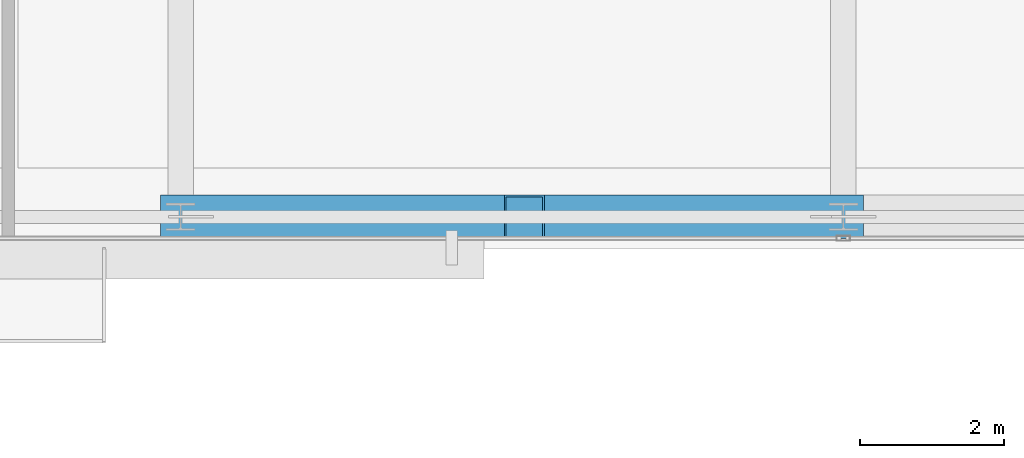
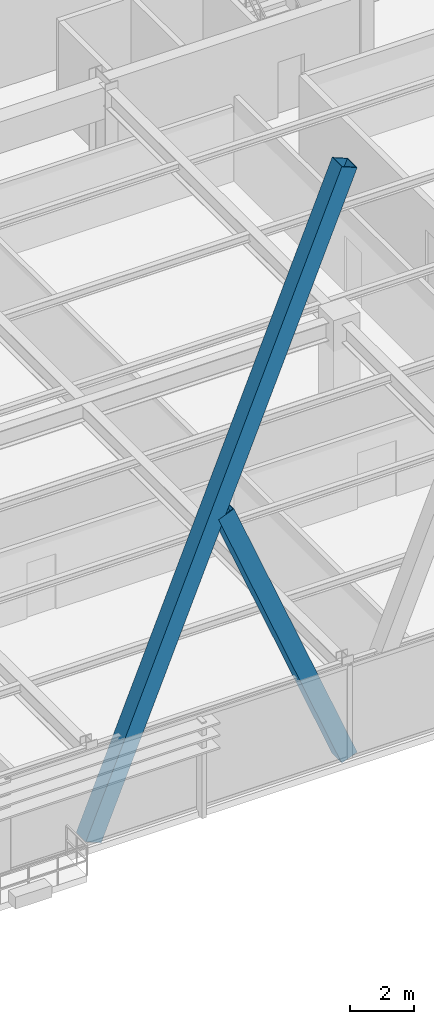
# One storey, part 7 of 38: 2 members.
"""IFC4 building model written with IfcOpenShell, lengths in metres."""

from ifc_helpers import new_model, si_unit, direction, frame, origin, origin_2d, place, context, subcontext, project, spatial, hollow_rectangle, extrude, source, transform, mapped, material, material_profile, profile_set, type_object, type_shapes, element, save


model = new_model("IFC4")

# Units and contexts
model_context = context("Model", 3, precision=1e-05, world=origin(), true_north=direction((0.0, 1.0)))
body_context = subcontext(model_context, "Body", "Model", "MODEL_VIEW")
ifc_project = project(units=[si_unit("LENGTHUNIT", "METRE"), si_unit("AREAUNIT", "SQUARE_METRE"), si_unit("VOLUMEUNIT", "CUBIC_METRE"), si_unit("PLANEANGLEUNIT", "RADIAN"), si_unit("MASSUNIT", "GRAM", prefix="KILO")], contexts=[model_context])

# Site, building, storey
site_placement = place(None, origin())
site = spatial("IfcSite", under=ifc_project, at=site_placement, CompositionType="ELEMENT")
building_placement = place(site_placement, origin())
building = spatial("IfcBuilding", under=site, at=building_placement, Name="Varnel Quay Broadcast Tower", CompositionType="ELEMENT")
storey_placement = place(building_placement, frame((0.0, 0.0, 118.199951171875)))
storey = spatial("IfcBuildingStorey", under=building, at=storey_placement, Name="L28", CompositionType="ELEMENT", Elevation=118.199951171875)

# Members
ifc_material = material(Name="Structural Steel CSA G40.21 350WT", Category="steel")
ifc_material_profile = material_profile(ifc_material, hollow_rectangle(XDim=0.60009765625, YDim=0.60009765625, WallThickness=0.028076171875, at=origin_2d()), Name="BOX600X600X28")
ifc_profile_set = profile_set([ifc_material_profile], Name="Structural Steel CSA G40.21 350WT")
member_type = type_object("IfcMemberType", Name="Brace_BOX600X600X28", PredefinedType="BRACE", material=ifc_profile_set)
shared_shape_1 = source(origin(), body_context, "Body", "SweptSolid", [
    extrude(hollow_rectangle(XDim=0.60009765625, YDim=0.60009765625, WallThickness=0.028076171875, at=origin_2d()), origin(), (0.0, 0.0, 1.0), 24.252685546875),
])
member_1_placement = place(storey_placement, frame((24.800048828125, 4.64990234375, 0.02001953125), z_axis=(0.379338285949, 0.0, 0.925258053093), x_axis=(0.0, 1.0, 0.0)))
element("IfcMember", 1, at=member_1_placement, inside=storey, type_object=member_type, Name="Zone 2 Mega-Brace S-C1T3 Continuous Diag A", PredefinedType="BRACE", context=body_context, shape_type="MappedRepresentation", body=[
    mapped(shared_shape_1, transform((0.0, 0.0, 0.0), x_axis=(1.0, 0.0, 0.0), y_axis=(0.0, 1.0, 0.0), z_axis=(0.0, 0.0, 1.0), scale=1.0)),
])
shared_shape_2 = source(origin(), body_context, "Body", "SweptSolid", [
    extrude(hollow_rectangle(XDim=0.60009765625, YDim=0.60009765625, WallThickness=0.028076171875, at=origin_2d()), origin(), (0.0, 0.0, 1.0), 11.674072265625),
])
type_shapes(member_type, [shared_shape_1, shared_shape_2])
member_2_placement = place(storey_placement, frame((34.0, 4.64990234375, 0.02001953125), z_axis=(-0.379342001912, 0.0, 0.92525652961), x_axis=(0.0, -1.0, 0.0)))
element("IfcMember", 2, at=member_2_placement, inside=storey, type_object=member_type, Name="Zone 2 Mega-Brace S-C1T3 Split Diag B1", PredefinedType="BRACE", context=body_context, shape_type="MappedRepresentation", body=[
    mapped(shared_shape_2, transform((0.0, 0.0, 0.0), x_axis=(1.0, 0.0, 0.0), y_axis=(0.0, 1.0, 0.0), z_axis=(0.0, 0.0, 1.0), scale=1.0)),
])

save(model, "model.ifc")
